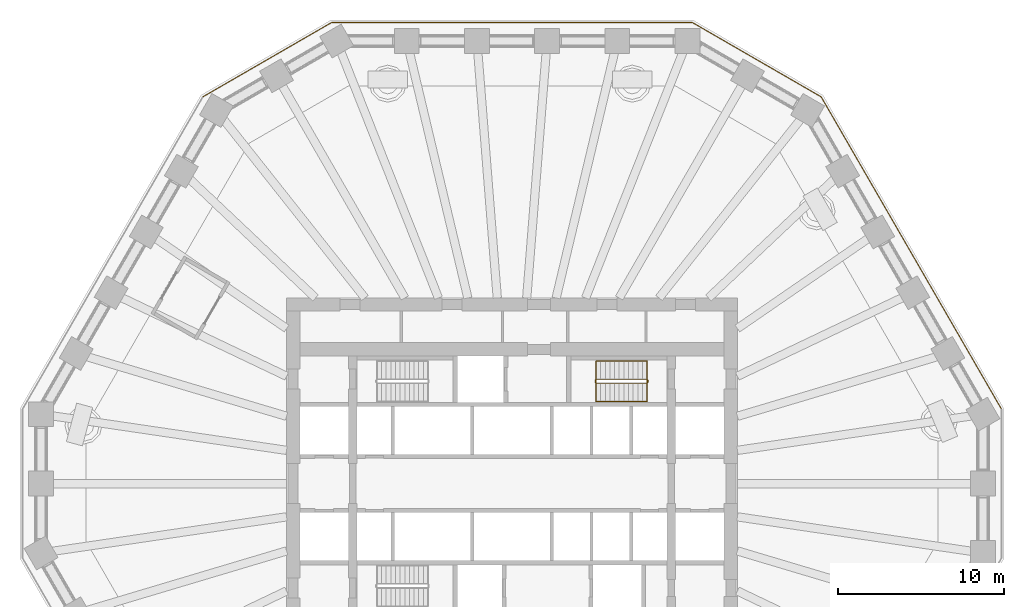
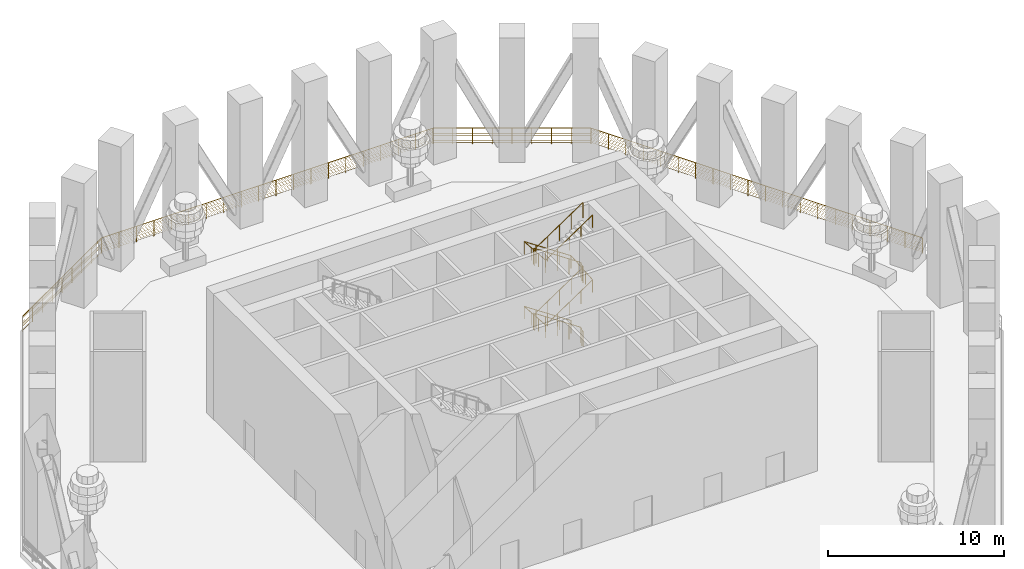
# One storey, part 8 of 10: 6 railings.
"""IFC4 building model written with IfcOpenShell, lengths in metres."""

from ifc_helpers import new_model, si_unit, direction, frame, origin, origin_2d, place, context, subcontext, project, spatial, circle, extrude, material, type_object, element, save


model = new_model("IFC4")

# Units and contexts
model_context = context("Model", 3, precision=1e-05, world=origin(), true_north=direction((0.0, 1.0)))
body_context = subcontext(model_context, "Body", "Model", "MODEL_VIEW")
ifc_project = project(units=[si_unit("LENGTHUNIT", "METRE"), si_unit("AREAUNIT", "SQUARE_METRE"), si_unit("VOLUMEUNIT", "CUBIC_METRE"), si_unit("PLANEANGLEUNIT", "RADIAN"), si_unit("MASSUNIT", "GRAM", prefix="KILO")], contexts=[model_context])

# Site, building, storey
site_placement = place(None, origin())
site = spatial("IfcSite", under=ifc_project, at=site_placement, CompositionType="ELEMENT")
building_placement = place(site_placement, origin())
building = spatial("IfcBuilding", under=site, at=building_placement, Name="Frailejon Research Tower", CompositionType="ELEMENT")
storey_placement = place(building_placement, frame((0.0, 0.0, 71.800048828125)))
storey = spatial("IfcBuildingStorey", under=building, at=storey_placement, Name="L16", CompositionType="ELEMENT", Elevation=71.800048828125)

# Railings
ifc_material_1 = material(Name="Stainless steel", Category="steel")
railing_type_1 = type_object("IfcRailingType", Name="Stair guard 1100", PredefinedType="GUARDRAIL", material=ifc_material_1)
railing_1_placement = place(storey_placement, frame((8.199951171875, 6.10009765625, 0.0)))
element("IfcRailing", 1, at=railing_1_placement, inside=storey, type_object=railing_type_1, Name="L16 ST3 stair guard 1", PredefinedType="GUARDRAIL", context=body_context, shape_type="SweptSolid", body=[
    extrude(circle(Radius=0.02392578125, at=origin_2d()), frame((0.0, 0.0, 1.076171875), z_axis=(0.0, 1.0, 0.0), x_axis=(-1.0, 0.0, 0.0)), (0.0, 0.0, 1.0), 0.14990234375),
    extrude(circle(Radius=0.02392578125, at=origin_2d()), frame((0.0, 0.14990234375, 1.076171875), z_axis=(-0.249726431254, 0.249726431254, 0.935560483917), x_axis=(-0.707106781187, -0.707106781187, 0.0)), (0.0, 0.0, 1.0), 0.200439453125),
    extrude(circle(Radius=0.02392578125, at=origin_2d()), frame((-0.050048828125, 0.199951171875, 1.263671875), z_axis=(-0.830893310487, 0.0, 0.556431762742), x_axis=(0.0, -1.0, 0.0)), (0.0, 0.0, 1.0), 3.70654296875),
    extrude(circle(Radius=0.02392578125, at=origin_2d()), frame((-3.1298828125, 0.199951171875, 3.326171875), z_axis=(-0.707106781187, -0.707106781187, 0.0), x_axis=(0.707106781187, -0.707106781187, 0.0)), (0.0, 0.0, 1.0), 0.07080078125),
    extrude(circle(Radius=0.02392578125, at=origin_2d()), frame((-3.179931640625, 0.14990234375, 3.326171875), z_axis=(0.0, -1.0, 0.0), x_axis=(1.0, 0.0, 0.0)), (0.0, 0.0, 1.0), 0.14990234375),
    extrude(circle(Radius=0.02392578125, at=origin_2d()), frame((-3.179931640625, 0.0, 3.326171875), z_axis=(0.249726431254, -0.249726431254, 0.935560483917), x_axis=(0.707106781187, 0.707106781187, 0.0)), (0.0, 0.0, 1.0), 0.200439453125),
    extrude(circle(Radius=0.02392578125, at=origin_2d()), frame((-3.1298828125, -0.050048828125, 3.513671875), z_axis=(0.830893310487, 0.0, 0.556431762742), x_axis=(0.0, 1.0, 0.0)), (0.0, 0.0, 1.0), 3.70654296875),
    extrude(circle(Radius=0.02392578125, at=origin_2d()), frame((-0.050048828125, -0.050048828125, 5.576171875), z_axis=(0.707106781187, 0.707106781187, 0.0), x_axis=(-0.707106781187, 0.707106781187, 0.0)), (0.0, 0.0, 1.0), 0.07080078125),
    extrude(circle(Radius=0.02392578125, at=origin_2d()), frame((0.0, 0.0, 5.576171875), z_axis=(0.0, 1.0, 0.0), x_axis=(-1.0, 0.0, 0.0)), (0.0, 0.0, 1.0), 0.14990234375),
    extrude(circle(Radius=0.02392578125, at=origin_2d()), frame((0.0, 0.14990234375, 5.576171875), z_axis=(-0.249726431254, 0.249726431254, 0.935560483917), x_axis=(-0.707106781187, -0.707106781187, 0.0)), (0.0, 0.0, 1.0), 0.200439453125),
    extrude(circle(Radius=0.02392578125, at=origin_2d()), frame((-0.050048828125, 0.199951171875, 5.763671875), z_axis=(-0.830893310487, 0.0, 0.556431762742), x_axis=(0.0, -1.0, 0.0)), (0.0, 0.0, 1.0), 3.70654296875),
    extrude(circle(Radius=0.02392578125, at=origin_2d()), frame((-3.1298828125, 0.199951171875, 7.826171875), z_axis=(-0.707106781187, -0.707106781187, 0.0), x_axis=(0.707106781187, -0.707106781187, 0.0)), (0.0, 0.0, 1.0), 0.07080078125),
    extrude(circle(Radius=0.02392578125, at=origin_2d()), frame((-3.179931640625, 0.14990234375, 7.826171875), z_axis=(0.0, -1.0, 0.0), x_axis=(1.0, 0.0, 0.0)), (0.0, 0.0, 1.0), 0.14990234375),
    extrude(circle(Radius=0.02392578125, at=origin_2d()), frame((-3.179931640625, 0.0, 7.826171875), z_axis=(0.249726431254, -0.249726431254, 0.935560483917), x_axis=(0.707106781187, 0.707106781187, 0.0)), (0.0, 0.0, 1.0), 0.200439453125),
    extrude(circle(Radius=0.02392578125, at=origin_2d()), frame((-3.1298828125, -0.050048828125, 8.013671875), z_axis=(0.830893310487, 0.0, 0.556431762742), x_axis=(0.0, 1.0, 0.0)), (0.0, 0.0, 1.0), 3.70654296875),
    extrude(circle(Radius=0.02099609375, at=origin_2d()), origin(), (0.0, 0.0, 1.0), 1.052001953125),
    extrude(circle(Radius=0.02099609375, at=origin_2d()), frame((0.0, 0.14990234375, 0.0)), (0.0, 0.0, 1.0), 1.052001953125),
    extrude(circle(Radius=0.02099609375, at=origin_2d()), frame((-0.050048828125, 0.199951171875, 0.1875)), (0.0, 0.0, 1.0), 1.052001953125),
    extrude(circle(Radius=0.02099609375, at=origin_2d()), frame((-0.820068359375, 0.199951171875, 0.703125)), (0.0, 0.0, 1.0), 1.052001953125),
    extrude(circle(Radius=0.02099609375, at=origin_2d()), frame((-1.58984375, 0.199951171875, 1.21875)), (0.0, 0.0, 1.0), 1.052001953125),
    extrude(circle(Radius=0.02099609375, at=origin_2d()), frame((-2.35986328125, 0.199951171875, 1.734375)), (0.0, 0.0, 1.0), 1.052001953125),
    extrude(circle(Radius=0.02099609375, at=origin_2d()), frame((-3.1298828125, 0.199951171875, 2.25)), (0.0, 0.0, 1.0), 1.052001953125),
    extrude(circle(Radius=0.02099609375, at=origin_2d()), frame((-3.179931640625, 0.14990234375, 2.25)), (0.0, 0.0, 1.0), 1.052001953125),
    extrude(circle(Radius=0.02099609375, at=origin_2d()), frame((-3.179931640625, 0.0, 2.25)), (0.0, 0.0, 1.0), 1.052001953125),
    extrude(circle(Radius=0.02099609375, at=origin_2d()), frame((-3.1298828125, -0.050048828125, 2.4375)), (0.0, 0.0, 1.0), 1.052001953125),
    extrude(circle(Radius=0.02099609375, at=origin_2d()), frame((-2.35986328125, -0.050048828125, 2.953125)), (0.0, 0.0, 1.0), 1.052001953125),
    extrude(circle(Radius=0.02099609375, at=origin_2d()), frame((-1.58984375, -0.050048828125, 3.46875)), (0.0, 0.0, 1.0), 1.052001953125),
    extrude(circle(Radius=0.02099609375, at=origin_2d()), frame((-0.820068359375, -0.050048828125, 3.984375)), (0.0, 0.0, 1.0), 1.052001953125),
    extrude(circle(Radius=0.02099609375, at=origin_2d()), frame((-0.050048828125, -0.050048828125, 4.5)), (0.0, 0.0, 1.0), 1.052001953125),
    extrude(circle(Radius=0.02099609375, at=origin_2d()), frame((0.0, 0.0, 4.5)), (0.0, 0.0, 1.0), 1.052001953125),
    extrude(circle(Radius=0.02099609375, at=origin_2d()), frame((0.0, 0.14990234375, 4.5)), (0.0, 0.0, 1.0), 1.052001953125),
    extrude(circle(Radius=0.02099609375, at=origin_2d()), frame((-0.050048828125, 0.199951171875, 4.6875)), (0.0, 0.0, 1.0), 1.052001953125),
    extrude(circle(Radius=0.02099609375, at=origin_2d()), frame((-0.820068359375, 0.199951171875, 5.203125)), (0.0, 0.0, 1.0), 1.052001953125),
    extrude(circle(Radius=0.02099609375, at=origin_2d()), frame((-1.58984375, 0.199951171875, 5.71875)), (0.0, 0.0, 1.0), 1.052001953125),
    extrude(circle(Radius=0.02099609375, at=origin_2d()), frame((-2.35986328125, 0.199951171875, 6.234375)), (0.0, 0.0, 1.0), 1.052001953125),
    extrude(circle(Radius=0.02099609375, at=origin_2d()), frame((-3.1298828125, 0.199951171875, 6.75)), (0.0, 0.0, 1.0), 1.052001953125),
    extrude(circle(Radius=0.02099609375, at=origin_2d()), frame((-3.179931640625, 0.14990234375, 6.75)), (0.0, 0.0, 1.0), 1.052001953125),
    extrude(circle(Radius=0.02099609375, at=origin_2d()), frame((-3.179931640625, 0.0, 6.75)), (0.0, 0.0, 1.0), 1.052001953125),
    extrude(circle(Radius=0.02099609375, at=origin_2d()), frame((-3.1298828125, -0.050048828125, 6.9375)), (0.0, 0.0, 1.0), 1.052001953125),
    extrude(circle(Radius=0.02099609375, at=origin_2d()), frame((-2.35986328125, -0.050048828125, 7.453125)), (0.0, 0.0, 1.0), 1.052001953125),
    extrude(circle(Radius=0.02099609375, at=origin_2d()), frame((-1.58984375, -0.050048828125, 7.96875)), (0.0, 0.0, 1.0), 1.052001953125),
    extrude(circle(Radius=0.02099609375, at=origin_2d()), frame((-0.820068359375, -0.050048828125, 8.484375)), (0.0, 0.0, 1.0), 1.052001953125),
    extrude(circle(Radius=0.02099609375, at=origin_2d()), frame((-0.050048828125, -0.050048828125, 9.0)), (0.0, 0.0, 1.0), 1.052001953125),
])
ifc_material_2 = material(Name="Stainless steel", Category="steel")
railing_type_2 = type_object("IfcRailingType", Name="Stair handrail 900", PredefinedType="HANDRAIL", material=ifc_material_2)
railing_2_placement = place(storey_placement, frame((8.14990234375, 7.39990234375, 0.1875)))
element("IfcRailing", 2, at=railing_2_placement, inside=storey, type_object=railing_type_2, Name="L16 ST3 stair handrail 1", PredefinedType="HANDRAIL", context=body_context, shape_type="SweptSolid", body=[
    extrude(circle(Radius=0.02392578125, at=origin_2d()), frame((0.0, 0.0, 0.8759765625), z_axis=(-0.830893310487, 0.0, 0.556431762742), x_axis=(0.0, -1.0, 0.0)), (0.0, 0.0, 1.0), 3.70654296875),
    extrude(circle(Radius=0.02392578125, at=origin_2d()), frame((-3.079833984375, 0.0, 2.9384765625), z_axis=(0.0, -0.997084218397, 0.07630898652), x_axis=(1.0, 0.0, 0.0)), (0.0, 0.0, 1.0), 2.45703125),
    extrude(circle(Radius=0.02392578125, at=origin_2d()), frame((-3.079833984375, -2.449951171875, 3.1259765625), z_axis=(0.830893310487, 0.0, 0.556431762742), x_axis=(0.0, 1.0, 0.0)), (0.0, 0.0, 1.0), 3.70654296875),
    extrude(circle(Radius=0.02392578125, at=origin_2d()), frame((0.0, -2.449951171875, 5.1884765625), z_axis=(0.0, 0.997084218397, 0.07630898652), x_axis=(-1.0, 0.0, 0.0)), (0.0, 0.0, 1.0), 2.45703125),
    extrude(circle(Radius=0.02392578125, at=origin_2d()), frame((0.0, 0.0, 5.3759765625), z_axis=(-0.830893310487, 0.0, 0.556431762742), x_axis=(0.0, -1.0, 0.0)), (0.0, 0.0, 1.0), 3.70654296875),
    extrude(circle(Radius=0.02392578125, at=origin_2d()), frame((-3.079833984375, 0.0, 7.4384765625), z_axis=(0.0, -0.997084218397, 0.07630898652), x_axis=(1.0, 0.0, 0.0)), (0.0, 0.0, 1.0), 2.45703125),
    extrude(circle(Radius=0.02392578125, at=origin_2d()), frame((-3.079833984375, -2.449951171875, 7.6259765625), z_axis=(0.830893310487, 0.0, 0.556431762742), x_axis=(0.0, 1.0, 0.0)), (0.0, 0.0, 1.0), 3.70654296875),
    extrude(circle(Radius=0.02099609375, at=origin_2d()), origin(), (0.0, 0.0, 1.0), 0.851806640625),
    extrude(circle(Radius=0.02099609375, at=origin_2d()), frame((-0.77001953125, 0.0, 0.515625)), (0.0, 0.0, 1.0), 0.851806640625),
    extrude(circle(Radius=0.02099609375, at=origin_2d()), frame((-1.5400390625, 0.0, 1.03125)), (0.0, 0.0, 1.0), 0.851806640625),
    extrude(circle(Radius=0.02099609375, at=origin_2d()), frame((-2.309814453125, 0.0, 1.546875)), (0.0, 0.0, 1.0), 0.851806640625),
    extrude(circle(Radius=0.02099609375, at=origin_2d()), frame((-3.079833984375, 0.0, 2.0625)), (0.0, 0.0, 1.0), 0.851806640625),
    extrude(circle(Radius=0.02099609375, at=origin_2d()), frame((-3.079833984375, -0.816650390625, 2.125)), (0.0, 0.0, 1.0), 0.851806640625),
    extrude(circle(Radius=0.02099609375, at=origin_2d()), frame((-3.079833984375, -1.63330078125, 2.1875)), (0.0, 0.0, 1.0), 0.851806640625),
    extrude(circle(Radius=0.02099609375, at=origin_2d()), frame((-3.079833984375, -2.449951171875, 2.25)), (0.0, 0.0, 1.0), 0.851806640625),
    extrude(circle(Radius=0.02099609375, at=origin_2d()), frame((-2.309814453125, -2.449951171875, 2.765625)), (0.0, 0.0, 1.0), 0.851806640625),
    extrude(circle(Radius=0.02099609375, at=origin_2d()), frame((-1.5400390625, -2.449951171875, 3.28125)), (0.0, 0.0, 1.0), 0.851806640625),
    extrude(circle(Radius=0.02099609375, at=origin_2d()), frame((-0.77001953125, -2.449951171875, 3.796875)), (0.0, 0.0, 1.0), 0.851806640625),
    extrude(circle(Radius=0.02099609375, at=origin_2d()), frame((0.0, -2.449951171875, 4.3125)), (0.0, 0.0, 1.0), 0.851806640625),
    extrude(circle(Radius=0.02099609375, at=origin_2d()), frame((0.0, -1.63330078125, 4.375)), (0.0, 0.0, 1.0), 0.851806640625),
    extrude(circle(Radius=0.02099609375, at=origin_2d()), frame((0.0, -0.816650390625, 4.4375)), (0.0, 0.0, 1.0), 0.851806640625),
    extrude(circle(Radius=0.02099609375, at=origin_2d()), frame((0.0, 0.0, 4.5)), (0.0, 0.0, 1.0), 0.851806640625),
    extrude(circle(Radius=0.02099609375, at=origin_2d()), frame((-0.77001953125, 0.0, 5.015625)), (0.0, 0.0, 1.0), 0.851806640625),
    extrude(circle(Radius=0.02099609375, at=origin_2d()), frame((-1.5400390625, 0.0, 5.53125)), (0.0, 0.0, 1.0), 0.851806640625),
    extrude(circle(Radius=0.02099609375, at=origin_2d()), frame((-2.309814453125, 0.0, 6.046875)), (0.0, 0.0, 1.0), 0.851806640625),
    extrude(circle(Radius=0.02099609375, at=origin_2d()), frame((-3.079833984375, 0.0, 6.5625)), (0.0, 0.0, 1.0), 0.851806640625),
    extrude(circle(Radius=0.02099609375, at=origin_2d()), frame((-3.079833984375, -0.816650390625, 6.625)), (0.0, 0.0, 1.0), 0.851806640625),
    extrude(circle(Radius=0.02099609375, at=origin_2d()), frame((-3.079833984375, -1.63330078125, 6.6875)), (0.0, 0.0, 1.0), 0.851806640625),
    extrude(circle(Radius=0.02099609375, at=origin_2d()), frame((-3.079833984375, -2.449951171875, 6.75)), (0.0, 0.0, 1.0), 0.851806640625),
    extrude(circle(Radius=0.02099609375, at=origin_2d()), frame((-2.309814453125, -2.449951171875, 7.265625)), (0.0, 0.0, 1.0), 0.851806640625),
    extrude(circle(Radius=0.02099609375, at=origin_2d()), frame((-1.5400390625, -2.449951171875, 7.78125)), (0.0, 0.0, 1.0), 0.851806640625),
    extrude(circle(Radius=0.02099609375, at=origin_2d()), frame((-0.77001953125, -2.449951171875, 8.296875)), (0.0, 0.0, 1.0), 0.851806640625),
    extrude(circle(Radius=0.02099609375, at=origin_2d()), frame((0.0, -2.449951171875, 8.8125)), (0.0, 0.0, 1.0), 0.851806640625),
])
ifc_material_3 = material(Name="Stainless steel posts, rail and cable infill", Category="steel")
railing_type_3 = type_object("IfcRailingType", Name="Terrace rail guard 1100", PredefinedType="GUARDRAIL", material=ifc_material_3)
railing_3_placement = place(storey_placement, frame((29.53369140625, 4.48779296875, 0.0)))
element("IfcRailing", 3, at=railing_3_placement, inside=storey, type_object=railing_type_3, Name="Wind floor terrace guard L16 2", PredefinedType="GUARDRAIL", context=body_context, shape_type="SweptSolid", body=[
    extrude(circle(Radius=0.02392578125, at=origin_2d()), frame((0.0, 0.0, 1.080078125), z_axis=(-0.500002799692, 0.866023787376, 0.0), x_axis=(-0.866023787376, -0.500002799692, 0.0)), (0.0, 0.0, 1.0), 21.7607421875),
    extrude(circle(Radius=0.005859375, at=origin_2d()), frame((0.0, 0.0, 0.097900390625), z_axis=(-0.500002799692, 0.866023787376, 0.0), x_axis=(-0.866023787376, -0.500002799692, 0.0)), (0.0, 0.0, 1.0), 21.7607421875),
    extrude(circle(Radius=0.005859375, at=origin_2d()), frame((0.0, 0.0, 0.195556640625), z_axis=(-0.500002799692, 0.866023787376, 0.0), x_axis=(-0.866023787376, -0.500002799692, 0.0)), (0.0, 0.0, 1.0), 21.7607421875),
    extrude(circle(Radius=0.005859375, at=origin_2d()), frame((0.0, 0.0, 0.29345703125), z_axis=(-0.500002799692, 0.866023787376, 0.0), x_axis=(-0.866023787376, -0.500002799692, 0.0)), (0.0, 0.0, 1.0), 21.7607421875),
    extrude(circle(Radius=0.005859375, at=origin_2d()), frame((0.0, 0.0, 0.391357421875), z_axis=(-0.500002799692, 0.866023787376, 0.0), x_axis=(-0.866023787376, -0.500002799692, 0.0)), (0.0, 0.0, 1.0), 21.7607421875),
    extrude(circle(Radius=0.005859375, at=origin_2d()), frame((0.0, 0.0, 0.489013671875), z_axis=(-0.500002799692, 0.866023787376, 0.0), x_axis=(-0.866023787376, -0.500002799692, 0.0)), (0.0, 0.0, 1.0), 21.7607421875),
    extrude(circle(Radius=0.005859375, at=origin_2d()), frame((0.0, 0.0, 0.5869140625), z_axis=(-0.500002799692, 0.866023787376, 0.0), x_axis=(-0.866023787376, -0.500002799692, 0.0)), (0.0, 0.0, 1.0), 21.7607421875),
    extrude(circle(Radius=0.005859375, at=origin_2d()), frame((0.0, 0.0, 0.684814453125), z_axis=(-0.500002799692, 0.866023787376, 0.0), x_axis=(-0.866023787376, -0.500002799692, 0.0)), (0.0, 0.0, 1.0), 21.7607421875),
    extrude(circle(Radius=0.005859375, at=origin_2d()), frame((0.0, 0.0, 0.782470703125), z_axis=(-0.500002799692, 0.866023787376, 0.0), x_axis=(-0.866023787376, -0.500002799692, 0.0)), (0.0, 0.0, 1.0), 21.7607421875),
    extrude(circle(Radius=0.005859375, at=origin_2d()), frame((0.0, 0.0, 0.88037109375), z_axis=(-0.500002799692, 0.866023787376, 0.0), x_axis=(-0.866023787376, -0.500002799692, 0.0)), (0.0, 0.0, 1.0), 21.7607421875),
    extrude(circle(Radius=0.005859375, at=origin_2d()), frame((0.0, 0.0, 0.978271484375), z_axis=(-0.500002799692, 0.866023787376, 0.0), x_axis=(-0.866023787376, -0.500002799692, 0.0)), (0.0, 0.0, 1.0), 21.7607421875),
    extrude(circle(Radius=0.02099609375, at=origin_2d()), origin(), (0.0, 0.0, 1.0), 1.052001953125),
    extrude(circle(Radius=0.02099609375, at=origin_2d()), frame((-0.57275390625, 0.991943359375, 0.0)), (0.0, 0.0, 1.0), 1.052001953125),
    extrude(circle(Radius=0.02099609375, at=origin_2d()), frame((-1.145263671875, 1.983642578125, 0.0)), (0.0, 0.0, 1.0), 1.052001953125),
    extrude(circle(Radius=0.02099609375, at=origin_2d()), frame((-1.718017578125, 2.9755859375, 0.0)), (0.0, 0.0, 1.0), 1.052001953125),
    extrude(circle(Radius=0.02099609375, at=origin_2d()), frame((-2.29052734375, 3.967529296875, 0.0)), (0.0, 0.0, 1.0), 1.052001953125),
    extrude(circle(Radius=0.02099609375, at=origin_2d()), frame((-2.86328125, 4.959228515625, 0.0)), (0.0, 0.0, 1.0), 1.052001953125),
    extrude(circle(Radius=0.02099609375, at=origin_2d()), frame((-3.435791015625, 5.951171875, 0.0)), (0.0, 0.0, 1.0), 1.052001953125),
    extrude(circle(Radius=0.02099609375, at=origin_2d()), frame((-4.008544921875, 6.94287109375, 0.0)), (0.0, 0.0, 1.0), 1.052001953125),
    extrude(circle(Radius=0.02099609375, at=origin_2d()), frame((-4.581298828125, 7.934814453125, 0.0)), (0.0, 0.0, 1.0), 1.052001953125),
    extrude(circle(Radius=0.02099609375, at=origin_2d()), frame((-5.15380859375, 8.9267578125, 0.0)), (0.0, 0.0, 1.0), 1.052001953125),
    extrude(circle(Radius=0.02099609375, at=origin_2d()), frame((-5.7265625, 9.91845703125, 0.0)), (0.0, 0.0, 1.0), 1.052001953125),
    extrude(circle(Radius=0.02099609375, at=origin_2d()), frame((-6.299072265625, 10.910400390625, 0.0)), (0.0, 0.0, 1.0), 1.052001953125),
    extrude(circle(Radius=0.02099609375, at=origin_2d()), frame((-6.871826171875, 11.90234375, 0.0)), (0.0, 0.0, 1.0), 1.052001953125),
    extrude(circle(Radius=0.02099609375, at=origin_2d()), frame((-7.444580078125, 12.89404296875, 0.0)), (0.0, 0.0, 1.0), 1.052001953125),
    extrude(circle(Radius=0.02099609375, at=origin_2d()), frame((-8.01708984375, 13.885986328125, 0.0)), (0.0, 0.0, 1.0), 1.052001953125),
    extrude(circle(Radius=0.02099609375, at=origin_2d()), frame((-8.58984375, 14.877685546875, 0.0)), (0.0, 0.0, 1.0), 1.052001953125),
    extrude(circle(Radius=0.02099609375, at=origin_2d()), frame((-9.162353515625, 15.86962890625, 0.0)), (0.0, 0.0, 1.0), 1.052001953125),
    extrude(circle(Radius=0.02099609375, at=origin_2d()), frame((-9.735107421875, 16.861572265625, 0.0)), (0.0, 0.0, 1.0), 1.052001953125),
    extrude(circle(Radius=0.02099609375, at=origin_2d()), frame((-10.3076171875, 17.853271484375, 0.0)), (0.0, 0.0, 1.0), 1.052001953125),
    extrude(circle(Radius=0.02099609375, at=origin_2d()), frame((-10.88037109375, 18.84521484375, 0.0)), (0.0, 0.0, 1.0), 1.052001953125),
])
railing_4_placement = place(storey_placement, frame((18.6533203125, 23.3330078125, 0.0)))
element("IfcRailing", 4, at=railing_4_placement, inside=storey, type_object=railing_type_3, Name="Wind floor terrace guard L16 3", PredefinedType="GUARDRAIL", context=body_context, shape_type="SweptSolid", body=[
    extrude(circle(Radius=0.02392578125, at=origin_2d()), frame((0.0, 0.0, 1.080078125), z_axis=(-0.866028409771, 0.499994793442, 0.0), x_axis=(-0.499994793442, -0.866028409771, 0.0)), (0.0, 0.0, 1.0), 8.9755859375),
    extrude(circle(Radius=0.005859375, at=origin_2d()), frame((0.0, 0.0, 0.097900390625), z_axis=(-0.866028409771, 0.499994793442, 0.0), x_axis=(-0.499994793442, -0.866028409771, 0.0)), (0.0, 0.0, 1.0), 8.9755859375),
    extrude(circle(Radius=0.005859375, at=origin_2d()), frame((0.0, 0.0, 0.195556640625), z_axis=(-0.866028409771, 0.499994793442, 0.0), x_axis=(-0.499994793442, -0.866028409771, 0.0)), (0.0, 0.0, 1.0), 8.9755859375),
    extrude(circle(Radius=0.005859375, at=origin_2d()), frame((0.0, 0.0, 0.29345703125), z_axis=(-0.866028409771, 0.499994793442, 0.0), x_axis=(-0.499994793442, -0.866028409771, 0.0)), (0.0, 0.0, 1.0), 8.9755859375),
    extrude(circle(Radius=0.005859375, at=origin_2d()), frame((0.0, 0.0, 0.391357421875), z_axis=(-0.866028409771, 0.499994793442, 0.0), x_axis=(-0.499994793442, -0.866028409771, 0.0)), (0.0, 0.0, 1.0), 8.9755859375),
    extrude(circle(Radius=0.005859375, at=origin_2d()), frame((0.0, 0.0, 0.489013671875), z_axis=(-0.866028409771, 0.499994793442, 0.0), x_axis=(-0.499994793442, -0.866028409771, 0.0)), (0.0, 0.0, 1.0), 8.9755859375),
    extrude(circle(Radius=0.005859375, at=origin_2d()), frame((0.0, 0.0, 0.5869140625), z_axis=(-0.866028409771, 0.499994793442, 0.0), x_axis=(-0.499994793442, -0.866028409771, 0.0)), (0.0, 0.0, 1.0), 8.9755859375),
    extrude(circle(Radius=0.005859375, at=origin_2d()), frame((0.0, 0.0, 0.684814453125), z_axis=(-0.866028409771, 0.499994793442, 0.0), x_axis=(-0.499994793442, -0.866028409771, 0.0)), (0.0, 0.0, 1.0), 8.9755859375),
    extrude(circle(Radius=0.005859375, at=origin_2d()), frame((0.0, 0.0, 0.782470703125), z_axis=(-0.866028409771, 0.499994793442, 0.0), x_axis=(-0.499994793442, -0.866028409771, 0.0)), (0.0, 0.0, 1.0), 8.9755859375),
    extrude(circle(Radius=0.005859375, at=origin_2d()), frame((0.0, 0.0, 0.88037109375), z_axis=(-0.866028409771, 0.499994793442, 0.0), x_axis=(-0.499994793442, -0.866028409771, 0.0)), (0.0, 0.0, 1.0), 8.9755859375),
    extrude(circle(Radius=0.005859375, at=origin_2d()), frame((0.0, 0.0, 0.978271484375), z_axis=(-0.866028409771, 0.499994793442, 0.0), x_axis=(-0.499994793442, -0.866028409771, 0.0)), (0.0, 0.0, 1.0), 8.9755859375),
    extrude(circle(Radius=0.02099609375, at=origin_2d()), origin(), (0.0, 0.0, 1.0), 1.052001953125),
    extrude(circle(Radius=0.02099609375, at=origin_2d()), frame((-0.9716796875, 0.56103515625, 0.0)), (0.0, 0.0, 1.0), 1.052001953125),
    extrude(circle(Radius=0.02099609375, at=origin_2d()), frame((-1.943359375, 1.1220703125, 0.0)), (0.0, 0.0, 1.0), 1.052001953125),
    extrude(circle(Radius=0.02099609375, at=origin_2d()), frame((-2.9150390625, 1.682861328125, 0.0)), (0.0, 0.0, 1.0), 1.052001953125),
    extrude(circle(Radius=0.02099609375, at=origin_2d()), frame((-3.88671875, 2.243896484375, 0.0)), (0.0, 0.0, 1.0), 1.052001953125),
    extrude(circle(Radius=0.02099609375, at=origin_2d()), frame((-4.858154296875, 2.804931640625, 0.0)), (0.0, 0.0, 1.0), 1.052001953125),
    extrude(circle(Radius=0.02099609375, at=origin_2d()), frame((-5.829833984375, 3.36572265625, 0.0)), (0.0, 0.0, 1.0), 1.052001953125),
    extrude(circle(Radius=0.02099609375, at=origin_2d()), frame((-6.801513671875, 3.9267578125, 0.0)), (0.0, 0.0, 1.0), 1.052001953125),
    extrude(circle(Radius=0.02099609375, at=origin_2d()), frame((-7.773193359375, 4.48779296875, 0.0)), (0.0, 0.0, 1.0), 1.052001953125),
])
railing_5_placement = place(storey_placement, frame((10.880126953125, 27.82080078125, 0.0)))
element("IfcRailing", 5, at=railing_5_placement, inside=storey, type_object=railing_type_3, Name="Wind floor terrace guard L16 4", PredefinedType="GUARDRAIL", context=body_context, shape_type="SweptSolid", body=[
    extrude(circle(Radius=0.02392578125, at=origin_2d()), frame((0.0, 0.0, 1.080078125), z_axis=(-1.0, 0.0, 0.0), x_axis=(0.0, -1.0, 0.0)), (0.0, 0.0, 1.0), 21.76025390625),
    extrude(circle(Radius=0.005859375, at=origin_2d()), frame((0.0, 0.0, 0.097900390625), z_axis=(-1.0, 0.0, 0.0), x_axis=(0.0, -1.0, 0.0)), (0.0, 0.0, 1.0), 21.76025390625),
    extrude(circle(Radius=0.005859375, at=origin_2d()), frame((0.0, 0.0, 0.195556640625), z_axis=(-1.0, 0.0, 0.0), x_axis=(0.0, -1.0, 0.0)), (0.0, 0.0, 1.0), 21.76025390625),
    extrude(circle(Radius=0.005859375, at=origin_2d()), frame((0.0, 0.0, 0.29345703125), z_axis=(-1.0, 0.0, 0.0), x_axis=(0.0, -1.0, 0.0)), (0.0, 0.0, 1.0), 21.76025390625),
    extrude(circle(Radius=0.005859375, at=origin_2d()), frame((0.0, 0.0, 0.391357421875), z_axis=(-1.0, 0.0, 0.0), x_axis=(0.0, -1.0, 0.0)), (0.0, 0.0, 1.0), 21.76025390625),
    extrude(circle(Radius=0.005859375, at=origin_2d()), frame((0.0, 0.0, 0.489013671875), z_axis=(-1.0, 0.0, 0.0), x_axis=(0.0, -1.0, 0.0)), (0.0, 0.0, 1.0), 21.76025390625),
    extrude(circle(Radius=0.005859375, at=origin_2d()), frame((0.0, 0.0, 0.5869140625), z_axis=(-1.0, 0.0, 0.0), x_axis=(0.0, -1.0, 0.0)), (0.0, 0.0, 1.0), 21.76025390625),
    extrude(circle(Radius=0.005859375, at=origin_2d()), frame((0.0, 0.0, 0.684814453125), z_axis=(-1.0, 0.0, 0.0), x_axis=(0.0, -1.0, 0.0)), (0.0, 0.0, 1.0), 21.76025390625),
    extrude(circle(Radius=0.005859375, at=origin_2d()), frame((0.0, 0.0, 0.782470703125), z_axis=(-1.0, 0.0, 0.0), x_axis=(0.0, -1.0, 0.0)), (0.0, 0.0, 1.0), 21.76025390625),
    extrude(circle(Radius=0.005859375, at=origin_2d()), frame((0.0, 0.0, 0.88037109375), z_axis=(-1.0, 0.0, 0.0), x_axis=(0.0, -1.0, 0.0)), (0.0, 0.0, 1.0), 21.76025390625),
    extrude(circle(Radius=0.005859375, at=origin_2d()), frame((0.0, 0.0, 0.978271484375), z_axis=(-1.0, 0.0, 0.0), x_axis=(0.0, -1.0, 0.0)), (0.0, 0.0, 1.0), 21.76025390625),
    extrude(circle(Radius=0.02099609375, at=origin_2d()), origin(), (0.0, 0.0, 1.0), 1.052001953125),
    extrude(circle(Radius=0.02099609375, at=origin_2d()), frame((-1.145263671875, 0.0, 0.0)), (0.0, 0.0, 1.0), 1.052001953125),
    extrude(circle(Radius=0.02099609375, at=origin_2d()), frame((-2.29052734375, 0.0, 0.0)), (0.0, 0.0, 1.0), 1.052001953125),
    extrude(circle(Radius=0.02099609375, at=origin_2d()), frame((-3.435791015625, 0.0, 0.0)), (0.0, 0.0, 1.0), 1.052001953125),
    extrude(circle(Radius=0.02099609375, at=origin_2d()), frame((-4.5810546875, 0.0, 0.0)), (0.0, 0.0, 1.0), 1.052001953125),
    extrude(circle(Radius=0.02099609375, at=origin_2d()), frame((-5.726318359375, 0.0, 0.0)), (0.0, 0.0, 1.0), 1.052001953125),
    extrude(circle(Radius=0.02099609375, at=origin_2d()), frame((-6.87158203125, 0.0, 0.0)), (0.0, 0.0, 1.0), 1.052001953125),
    extrude(circle(Radius=0.02099609375, at=origin_2d()), frame((-8.016845703125, 0.0, 0.0)), (0.0, 0.0, 1.0), 1.052001953125),
    extrude(circle(Radius=0.02099609375, at=origin_2d()), frame((-9.162109375, 0.0, 0.0)), (0.0, 0.0, 1.0), 1.052001953125),
    extrude(circle(Radius=0.02099609375, at=origin_2d()), frame((-10.307373046875, 0.0, 0.0)), (0.0, 0.0, 1.0), 1.052001953125),
    extrude(circle(Radius=0.02099609375, at=origin_2d()), frame((-11.452880859375, 0.0, 0.0)), (0.0, 0.0, 1.0), 1.052001953125),
    extrude(circle(Radius=0.02099609375, at=origin_2d()), frame((-12.59814453125, 0.0, 0.0)), (0.0, 0.0, 1.0), 1.052001953125),
    extrude(circle(Radius=0.02099609375, at=origin_2d()), frame((-13.743408203125, 0.0, 0.0)), (0.0, 0.0, 1.0), 1.052001953125),
    extrude(circle(Radius=0.02099609375, at=origin_2d()), frame((-14.888671875, 0.0, 0.0)), (0.0, 0.0, 1.0), 1.052001953125),
    extrude(circle(Radius=0.02099609375, at=origin_2d()), frame((-16.033935546875, 0.0, 0.0)), (0.0, 0.0, 1.0), 1.052001953125),
    extrude(circle(Radius=0.02099609375, at=origin_2d()), frame((-17.17919921875, 0.0, 0.0)), (0.0, 0.0, 1.0), 1.052001953125),
    extrude(circle(Radius=0.02099609375, at=origin_2d()), frame((-18.324462890625, 0.0, 0.0)), (0.0, 0.0, 1.0), 1.052001953125),
    extrude(circle(Radius=0.02099609375, at=origin_2d()), frame((-19.4697265625, 0.0, 0.0)), (0.0, 0.0, 1.0), 1.052001953125),
    extrude(circle(Radius=0.02099609375, at=origin_2d()), frame((-20.614990234375, 0.0, 0.0)), (0.0, 0.0, 1.0), 1.052001953125),
    extrude(circle(Radius=0.02099609375, at=origin_2d()), frame((-21.76025390625, 0.0, 0.0)), (0.0, 0.0, 1.0), 1.052001953125),
])
railing_6_placement = place(storey_placement, frame((-10.880126953125, 27.82080078125, 0.0)))
element("IfcRailing", 6, at=railing_6_placement, inside=storey, type_object=railing_type_3, Name="Wind floor terrace guard L16 5", PredefinedType="GUARDRAIL", context=body_context, shape_type="SweptSolid", body=[
    extrude(circle(Radius=0.02392578125, at=origin_2d()), frame((0.0, 0.0, 1.080078125), z_axis=(-0.866028409771, -0.499994793442, 0.0), x_axis=(0.499994793442, -0.866028409771, 0.0)), (0.0, 0.0, 1.0), 8.9755859375),
    extrude(circle(Radius=0.005859375, at=origin_2d()), frame((0.0, 0.0, 0.097900390625), z_axis=(-0.866028409771, -0.499994793442, 0.0), x_axis=(0.499994793442, -0.866028409771, 0.0)), (0.0, 0.0, 1.0), 8.9755859375),
    extrude(circle(Radius=0.005859375, at=origin_2d()), frame((0.0, 0.0, 0.195556640625), z_axis=(-0.866028409771, -0.499994793442, 0.0), x_axis=(0.499994793442, -0.866028409771, 0.0)), (0.0, 0.0, 1.0), 8.9755859375),
    extrude(circle(Radius=0.005859375, at=origin_2d()), frame((0.0, 0.0, 0.29345703125), z_axis=(-0.866028409771, -0.499994793442, 0.0), x_axis=(0.499994793442, -0.866028409771, 0.0)), (0.0, 0.0, 1.0), 8.9755859375),
    extrude(circle(Radius=0.005859375, at=origin_2d()), frame((0.0, 0.0, 0.391357421875), z_axis=(-0.866028409771, -0.499994793442, 0.0), x_axis=(0.499994793442, -0.866028409771, 0.0)), (0.0, 0.0, 1.0), 8.9755859375),
    extrude(circle(Radius=0.005859375, at=origin_2d()), frame((0.0, 0.0, 0.489013671875), z_axis=(-0.866028409771, -0.499994793442, 0.0), x_axis=(0.499994793442, -0.866028409771, 0.0)), (0.0, 0.0, 1.0), 8.9755859375),
    extrude(circle(Radius=0.005859375, at=origin_2d()), frame((0.0, 0.0, 0.5869140625), z_axis=(-0.866028409771, -0.499994793442, 0.0), x_axis=(0.499994793442, -0.866028409771, 0.0)), (0.0, 0.0, 1.0), 8.9755859375),
    extrude(circle(Radius=0.005859375, at=origin_2d()), frame((0.0, 0.0, 0.684814453125), z_axis=(-0.866028409771, -0.499994793442, 0.0), x_axis=(0.499994793442, -0.866028409771, 0.0)), (0.0, 0.0, 1.0), 8.9755859375),
    extrude(circle(Radius=0.005859375, at=origin_2d()), frame((0.0, 0.0, 0.782470703125), z_axis=(-0.866028409771, -0.499994793442, 0.0), x_axis=(0.499994793442, -0.866028409771, 0.0)), (0.0, 0.0, 1.0), 8.9755859375),
    extrude(circle(Radius=0.005859375, at=origin_2d()), frame((0.0, 0.0, 0.88037109375), z_axis=(-0.866028409771, -0.499994793442, 0.0), x_axis=(0.499994793442, -0.866028409771, 0.0)), (0.0, 0.0, 1.0), 8.9755859375),
    extrude(circle(Radius=0.005859375, at=origin_2d()), frame((0.0, 0.0, 0.978271484375), z_axis=(-0.866028409771, -0.499994793442, 0.0), x_axis=(0.499994793442, -0.866028409771, 0.0)), (0.0, 0.0, 1.0), 8.9755859375),
    extrude(circle(Radius=0.02099609375, at=origin_2d()), origin(), (0.0, 0.0, 1.0), 1.052001953125),
    extrude(circle(Radius=0.02099609375, at=origin_2d()), frame((-0.9716796875, -0.56103515625, 0.0)), (0.0, 0.0, 1.0), 1.052001953125),
    extrude(circle(Radius=0.02099609375, at=origin_2d()), frame((-1.943359375, -1.1220703125, 0.0)), (0.0, 0.0, 1.0), 1.052001953125),
    extrude(circle(Radius=0.02099609375, at=origin_2d()), frame((-2.9150390625, -1.682861328125, 0.0)), (0.0, 0.0, 1.0), 1.052001953125),
    extrude(circle(Radius=0.02099609375, at=origin_2d()), frame((-3.88671875, -2.243896484375, 0.0)), (0.0, 0.0, 1.0), 1.052001953125),
    extrude(circle(Radius=0.02099609375, at=origin_2d()), frame((-4.858154296875, -2.804931640625, 0.0)), (0.0, 0.0, 1.0), 1.052001953125),
    extrude(circle(Radius=0.02099609375, at=origin_2d()), frame((-5.829833984375, -3.36572265625, 0.0)), (0.0, 0.0, 1.0), 1.052001953125),
    extrude(circle(Radius=0.02099609375, at=origin_2d()), frame((-6.801513671875, -3.9267578125, 0.0)), (0.0, 0.0, 1.0), 1.052001953125),
    extrude(circle(Radius=0.02099609375, at=origin_2d()), frame((-7.773193359375, -4.48779296875, 0.0)), (0.0, 0.0, 1.0), 1.052001953125),
])

save(model, "model.ifc")
